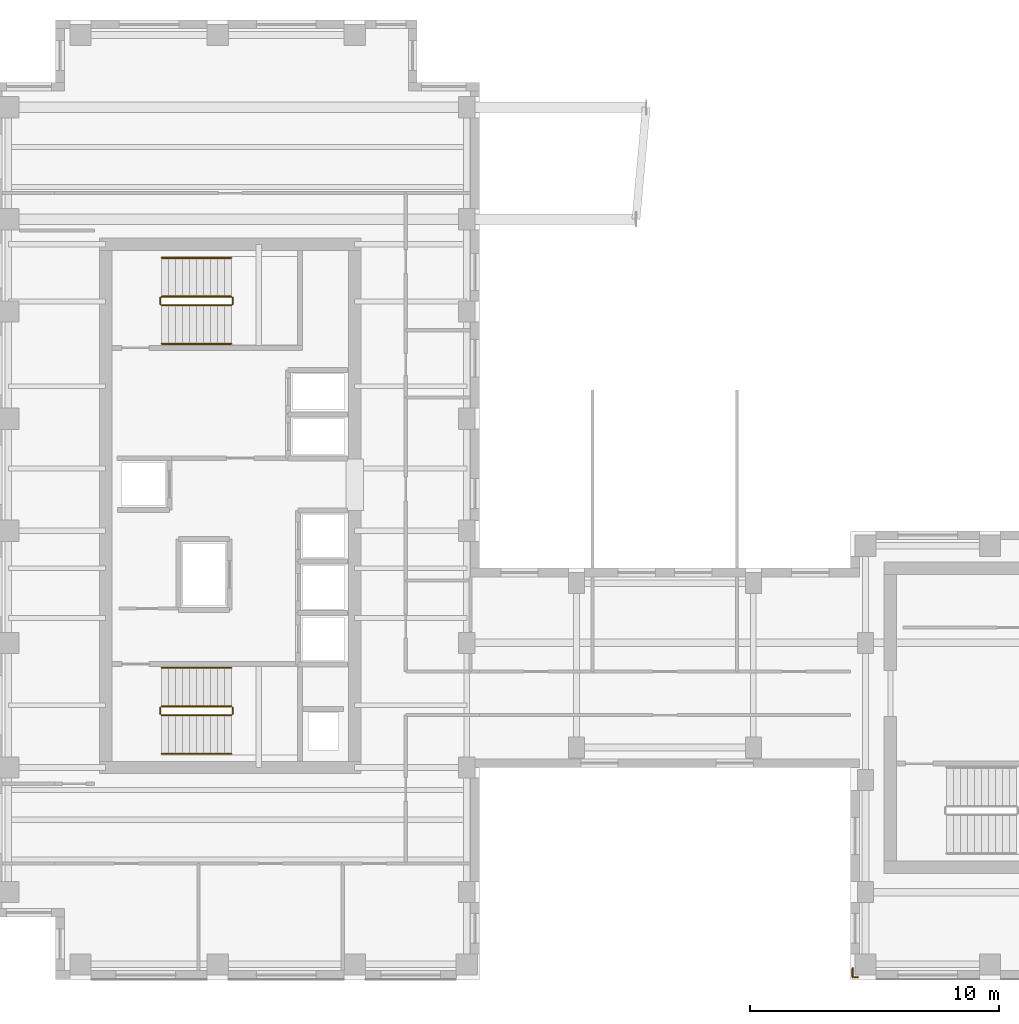
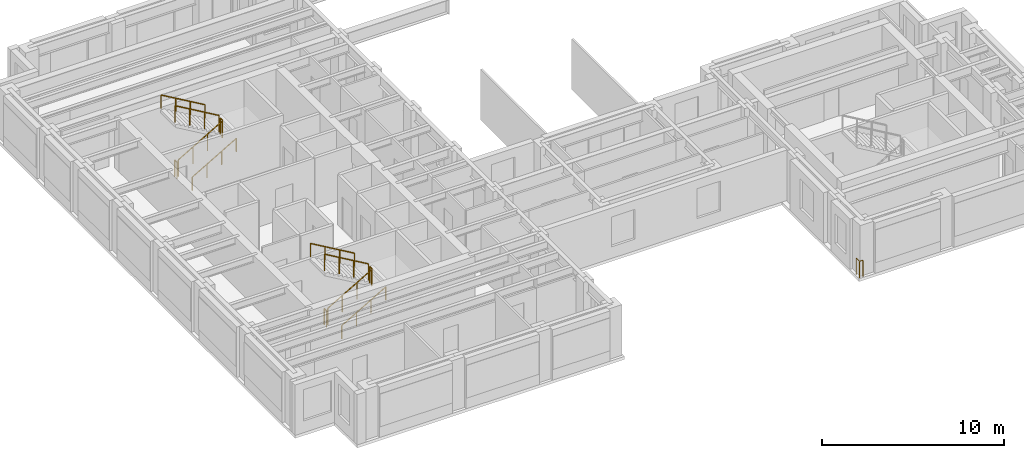
# One storey, part 10 of 11: 13 railings.
"""IFC4 building model written with IfcOpenShell, lengths in metres."""

from ifc_helpers import new_model, si_unit, direction, frame, origin, origin_2d, place, context, subcontext, project, spatial, circle, extrude, source, transform, mapped, material, layer, layer_set, type_object, element, save


model = new_model("IFC4")

# Units and contexts
model_context = context("Model", 3, precision=1e-05, world=origin(), true_north=direction((0.0, 1.0)))
body_context = subcontext(model_context, "Body", "Model", "MODEL_VIEW")
ifc_project = project(units=[si_unit("LENGTHUNIT", "METRE"), si_unit("AREAUNIT", "SQUARE_METRE"), si_unit("VOLUMEUNIT", "CUBIC_METRE"), si_unit("PLANEANGLEUNIT", "RADIAN"), si_unit("MASSUNIT", "GRAM", prefix="KILO")], contexts=[model_context])

# Site, building, storey
site_placement = place(None, origin())
site = spatial("IfcSite", under=ifc_project, at=site_placement, CompositionType="ELEMENT")
building_placement = place(site_placement, origin())
building = spatial("IfcBuilding", under=site, at=building_placement, Name="Kharzan Plaza Tower", CompositionType="ELEMENT")
storey_placement = place(building_placement, frame((0.0, 0.0, 234.0)))
storey = spatial("IfcBuildingStorey", under=building, at=storey_placement, Name="L63", CompositionType="ELEMENT", Elevation=234.0)

# Railings
ifc_material_1 = material(Name="Painted Galvanized Architectural Steel", Category="steel")
ifc_layer_1 = layer(ifc_material_1, 0.074951171875)
ifc_layer_set_1 = layer_set([ifc_layer_1], Name="Painted Galvanized Architectural Steel")
railing_type_1 = type_object("IfcRailingType", Name="RL-GUARD-1120", PredefinedType="BALUSTRADE", material=ifc_layer_set_1)
shared_shape_1 = source(origin(), body_context, "Body", "SweptSolid", [
    extrude(circle(Radius=0.02392578125, at=origin_2d()), frame((0.0, 0.0263671875, 1.09619140625), z_axis=(0.0, 1.0, 0.0), x_axis=(-1.0, 0.0, 0.0)), (0.0, 0.0, 1.0), 0.197021484375),
    extrude(circle(Radius=0.02099609375, at=origin_2d()), origin(), (0.0, 0.0, 1.0), 1.072021484375),
    extrude(circle(Radius=0.02099609375, at=origin_2d()), frame((0.0, 0.25, 0.0)), (0.0, 0.0, 1.0), 1.072021484375),
])
for number, where, name in (
    (1, (9.60009765625, 10.64990234375, 1.800048828125), "L63 ST-1 stair guard 2"),
    (2, (6.699951171875, 10.64990234375, 0.0), "L63 ST-1 stair guard 4"),
    (3, (9.60009765625, 27.10009765625, 1.800048828125), "L63 ST-2 stair guard 2"),
    (4, (6.699951171875, 27.10009765625, 0.0), "L63 ST-2 stair guard 4"),
):
    element("IfcRailing", number, at=place(storey_placement, frame(where)), inside=storey, type_object=railing_type_1, Name=name, PredefinedType="BALUSTRADE", context=body_context, shape_type="MappedRepresentation", body=[
        mapped(shared_shape_1, transform((0.0, 0.0, 0.0), x_axis=(1.0, 0.0, 0.0), y_axis=(0.0, 1.0, 0.0), z_axis=(0.0, 0.0, 1.0))),
    ])
shared_shape_2 = source(origin(), body_context, "Body", "SweptSolid", [
    extrude(circle(Radius=0.02392578125, at=origin_2d()), frame((0.02294921875, 0.0, 1.109375), z_axis=(0.863360870873, 0.0, 0.504586966384), x_axis=(0.0, 1.0, 0.0)), (0.0, 0.0, 1.0), 3.190185546875),
    extrude(circle(Radius=0.02099609375, at=origin_2d()), origin(), (0.0, 0.0, 1.0), 1.072021484375),
    extrude(circle(Radius=0.02099609375, at=origin_2d()), frame((0.933349609375, 0.0, 0.54541015625)), (0.0, 0.0, 1.0), 1.072021484375),
    extrude(circle(Radius=0.02099609375, at=origin_2d()), frame((1.86669921875, 0.0, 1.091064453125)), (0.0, 0.0, 1.0), 1.072021484375),
    extrude(circle(Radius=0.02099609375, at=origin_2d()), frame((2.800048828125, 0.0, 1.636474609375)), (0.0, 0.0, 1.0), 1.072021484375),
])
for number, where, name in (
    (5, (6.75, 10.60009765625, 0.16357421875), "L63 ST-1 stair guard 1"),
    (6, (6.75, 27.050048828125, 0.16357421875), "L63 ST-2 stair guard 1"),
):
    element("IfcRailing", number, at=place(storey_placement, frame(where)), inside=storey, type_object=railing_type_1, Name=name, PredefinedType="BALUSTRADE", context=body_context, shape_type="MappedRepresentation", body=[
        mapped(shared_shape_2, transform((0.0, 0.0, 0.0), x_axis=(1.0, 0.0, 0.0), y_axis=(0.0, 1.0, 0.0), z_axis=(0.0, 0.0, 1.0))),
    ])
shared_shape_3 = source(origin(), body_context, "Body", "SweptSolid", [
    extrude(circle(Radius=0.02392578125, at=origin_2d()), frame((-0.02294921875, 0.0, 1.109375), z_axis=(-0.863360870873, 0.0, 0.504586966384), x_axis=(0.0, -1.0, 0.0)), (0.0, 0.0, 1.0), 3.190185546875),
    extrude(circle(Radius=0.02099609375, at=origin_2d()), origin(), (0.0, 0.0, 1.0), 1.072021484375),
    extrude(circle(Radius=0.02099609375, at=origin_2d()), frame((-0.933349609375, 0.0, 0.54541015625)), (0.0, 0.0, 1.0), 1.072021484375),
    extrude(circle(Radius=0.02099609375, at=origin_2d()), frame((-1.86669921875, 0.0, 1.091064453125)), (0.0, 0.0, 1.0), 1.072021484375),
    extrude(circle(Radius=0.02099609375, at=origin_2d()), frame((-2.800048828125, 0.0, 1.636474609375)), (0.0, 0.0, 1.0), 1.072021484375),
])
for number, where, name in (
    (7, (9.550048828125, 10.949951171875, 1.963623046875), "L63 ST-1 stair guard 3"),
    (8, (9.550048828125, 27.39990234375, 1.963623046875), "L63 ST-2 stair guard 3"),
):
    element("IfcRailing", number, at=place(storey_placement, frame(where)), inside=storey, type_object=railing_type_1, Name=name, PredefinedType="BALUSTRADE", context=body_context, shape_type="MappedRepresentation", body=[
        mapped(shared_shape_3, transform((0.0, 0.0, 0.0), x_axis=(1.0, 0.0, 0.0), y_axis=(0.0, 1.0, 0.0), z_axis=(0.0, 0.0, 1.0))),
    ])
ifc_material_2 = material(Name="Brushed Stainless Steel", Category="steel")
ifc_layer_2 = layer(ifc_material_2, 0.050048828125)
ifc_layer_set_2 = layer_set([ifc_layer_2], Name="Brushed Stainless Steel")
railing_type_2 = type_object("IfcRailingType", Name="RL-STAIR-HR920", PredefinedType="HANDRAIL", material=ifc_layer_set_2)
shared_shape_4 = source(origin(), body_context, "Body", "SweptSolid", [
    extrude(circle(Radius=0.02392578125, at=origin_2d()), frame((0.02294921875, 0.0, 0.88916015625), z_axis=(0.863360870873, 0.0, 0.504586966384), x_axis=(0.0, 1.0, 0.0)), (0.0, 0.0, 1.0), 3.190185546875),
    extrude(circle(Radius=0.02099609375, at=origin_2d()), origin(), (0.0, 0.0, 1.0), 0.851806640625),
    extrude(circle(Radius=0.02099609375, at=origin_2d()), frame((0.933349609375, 0.0, 0.54541015625)), (0.0, 0.0, 1.0), 0.851806640625),
    extrude(circle(Radius=0.02099609375, at=origin_2d()), frame((1.86669921875, 0.0, 1.091064453125)), (0.0, 0.0, 1.0), 0.851806640625),
    extrude(circle(Radius=0.02099609375, at=origin_2d()), frame((2.800048828125, 0.0, 1.636474609375)), (0.0, 0.0, 1.0), 0.851806640625),
])
for number, where, name in (
    (9, (6.75, 9.050048828125, 0.16357421875), "L63 ST-1 stair handrail 1"),
    (10, (6.75, 25.5, 0.16357421875), "L63 ST-2 stair handrail 1"),
):
    element("IfcRailing", number, at=place(storey_placement, frame(where)), inside=storey, type_object=railing_type_2, Name=name, PredefinedType="HANDRAIL", context=body_context, shape_type="MappedRepresentation", body=[
        mapped(shared_shape_4, transform((0.0, 0.0, 0.0), x_axis=(1.0, 0.0, 0.0), y_axis=(0.0, 1.0, 0.0), z_axis=(0.0, 0.0, 1.0))),
    ])
shared_shape_5 = source(origin(), body_context, "Body", "SweptSolid", [
    extrude(circle(Radius=0.02392578125, at=origin_2d()), frame((-0.02294921875, 0.0, 0.88916015625), z_axis=(-0.863360870873, 0.0, 0.504586966384), x_axis=(0.0, -1.0, 0.0)), (0.0, 0.0, 1.0), 3.190185546875),
    extrude(circle(Radius=0.02099609375, at=origin_2d()), origin(), (0.0, 0.0, 1.0), 0.851806640625),
    extrude(circle(Radius=0.02099609375, at=origin_2d()), frame((-0.933349609375, 0.0, 0.54541015625)), (0.0, 0.0, 1.0), 0.851806640625),
    extrude(circle(Radius=0.02099609375, at=origin_2d()), frame((-1.86669921875, 0.0, 1.091064453125)), (0.0, 0.0, 1.0), 0.851806640625),
    extrude(circle(Radius=0.02099609375, at=origin_2d()), frame((-2.800048828125, 0.0, 1.636474609375)), (0.0, 0.0, 1.0), 0.851806640625),
])
for number, where, name in (
    (11, (9.550048828125, 12.5, 1.963623046875), "L63 ST-1 stair handrail 2"),
    (12, (9.550048828125, 28.949951171875, 1.963623046875), "L63 ST-2 stair handrail 2"),
):
    element("IfcRailing", number, at=place(storey_placement, frame(where)), inside=storey, type_object=railing_type_2, Name=name, PredefinedType="HANDRAIL", context=body_context, shape_type="MappedRepresentation", body=[
        mapped(shared_shape_5, transform((0.0, 0.0, 0.0), x_axis=(1.0, 0.0, 0.0), y_axis=(0.0, 1.0, 0.0), z_axis=(0.0, 0.0, 1.0))),
    ])
shared_shape_6 = source(origin(), body_context, "Body", "SweptSolid", [
    extrude(circle(Radius=0.02392578125, at=origin_2d()), frame((-0.0263671875, 0.0, 1.09619140625), z_axis=(-1.0, 0.0, 0.0), x_axis=(0.0, -1.0, 0.0)), (0.0, 0.0, 1.0), 0.1669921875),
    extrude(circle(Radius=0.02392578125, at=origin_2d()), frame((-0.219970703125, 0.0263671875, 1.09619140625), z_axis=(0.0, 1.0, 0.0), x_axis=(-1.0, 0.0, 0.0)), (0.0, 0.0, 1.0), 0.31689453125),
    extrude(circle(Radius=0.02099609375, at=origin_2d()), origin(), (0.0, 0.0, 1.0), 1.072021484375),
    extrude(circle(Radius=0.02099609375, at=origin_2d()), frame((-0.219970703125, 0.0, 0.0)), (0.0, 0.0, 1.0), 1.072021484375),
    extrude(circle(Radius=0.02099609375, at=origin_2d()), frame((-0.219970703125, 0.369873046875, 0.0)), (0.0, 0.0, 1.0), 1.072021484375),
])
railing_placement = place(storey_placement, frame((34.699951171875, 0.080078125, 0.0)))
element("IfcRailing", 13, at=railing_placement, inside=storey, type_object=railing_type_1, Name="L63 South-West Wing B Slot Corner Safety Guard", PredefinedType="BALUSTRADE", context=body_context, shape_type="MappedRepresentation", body=[
    mapped(shared_shape_6, transform((0.0, 0.0, 0.0), x_axis=(1.0, 0.0, 0.0), y_axis=(0.0, 1.0, 0.0), z_axis=(0.0, 0.0, 1.0))),
])

save(model, "model.ifc")
